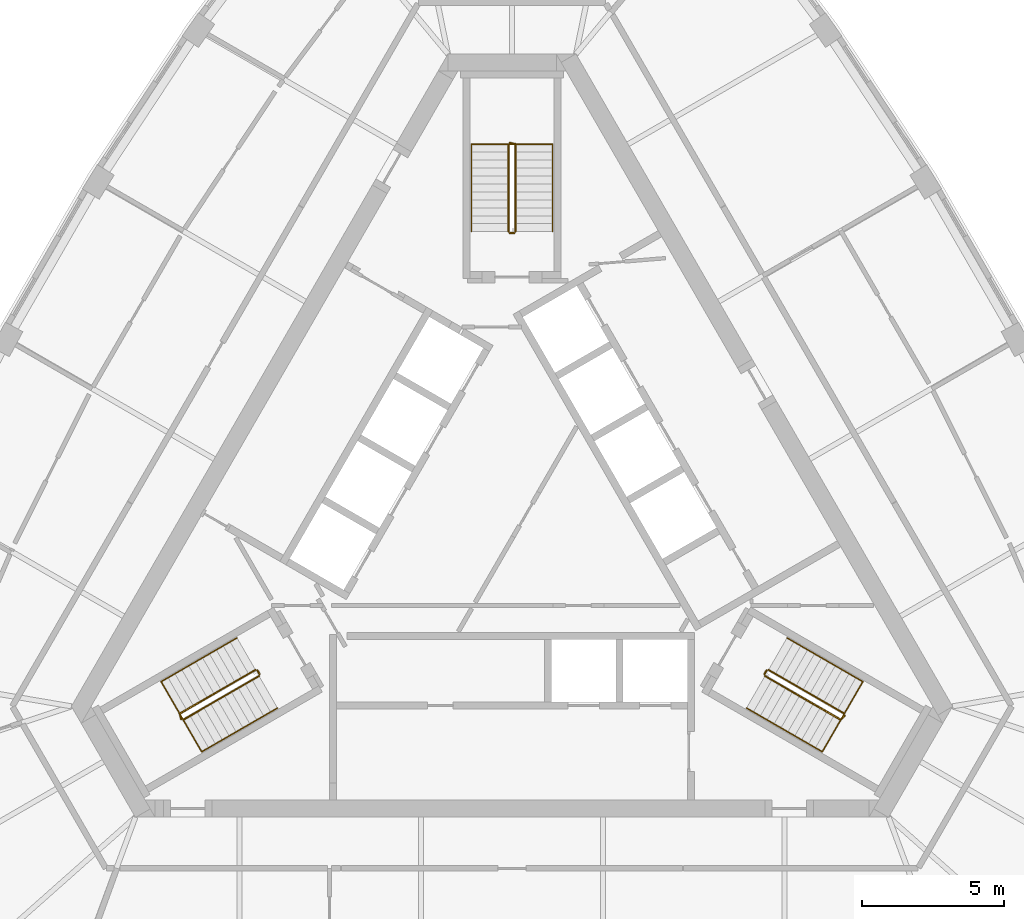
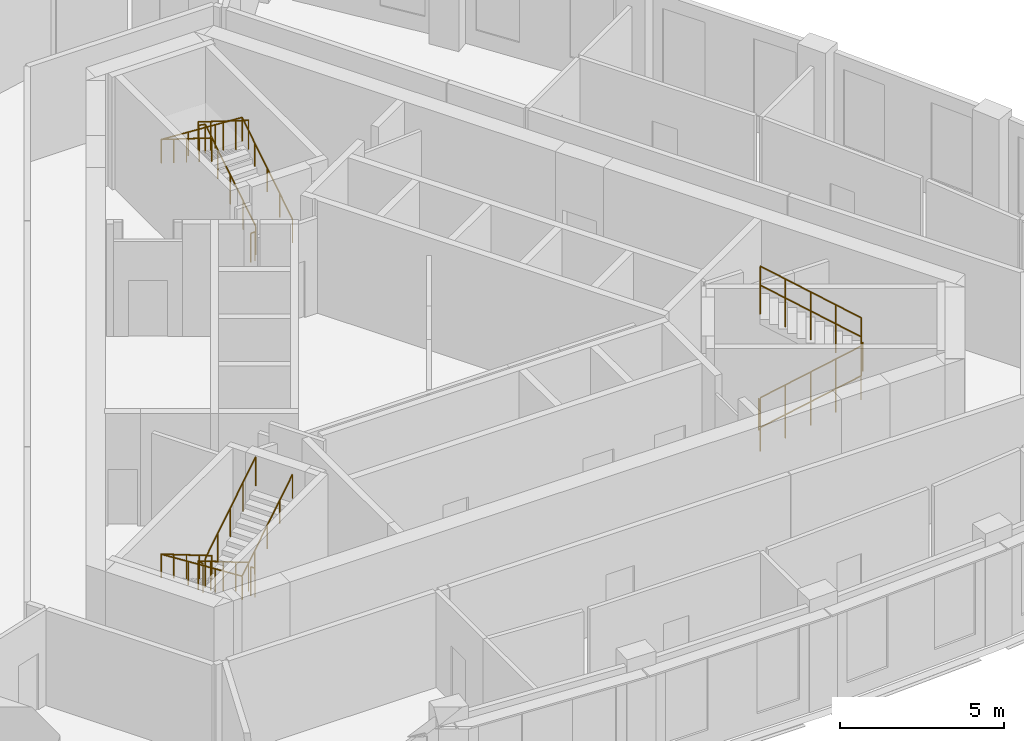
# One storey, part 10 of 10: 12 railings.
"""IFC4 building model written with IfcOpenShell, lengths in metres."""

import ifcopenshell
import ifcopenshell.guid

model = None  # the IFC model being written
_history = None  # IfcOwnerHistory: only IFC2X3 demands one
_inside = {}  # id of a spatial element -> (the spatial element, [elements in it])
_under = {}  # id of a project, library or spatial element -> (it, [spatial elements below it])
_declared = {}  # id of a project -> (the project, [libraries it declares])
_typed = {}  # id of a type object -> (the type object, [elements of that type])
_made_of = {}  # id of a material, layer set ... -> (it, [elements and type objects made of it])


def new_model(schema):
    """Start an empty IFC model of exactly this schema.

    Asked for "IFC4X3", IfcOpenShell would pick the latest addendum, in which some entities
    have other attributes; the version numbers below select the first issue.
    IFC2X3 requires an IfcOwnerHistory on every rooted entity: one is made here for all.
    """
    global model, _history
    if schema == "IFC4X3":
        model = ifcopenshell.file(schema_version=(4, 3, 0, 0))
    else:
        model = ifcopenshell.file(schema=schema)
    _inside.clear()
    _under.clear()
    _declared.clear()
    _typed.clear()
    _made_of.clear()
    _history = None
    if model.schema == "IFC2X3":
        org = make("IfcOrganization", Name="unknown")
        user = make(
            "IfcPersonAndOrganization",
            ThePerson=make("IfcPerson", FamilyName="unknown"),
            TheOrganization=org,
        )
        app = make(
            "IfcApplication",
            ApplicationDeveloper=org,
            Version="unknown",
            ApplicationFullName="unknown",
            ApplicationIdentifier="unknown",
        )
        _history = make(
            "IfcOwnerHistory",
            OwningUser=user,
            OwningApplication=app,
            ChangeAction="ADDED",
            CreationDate=0,
        )
    return model


def make(cls, **values):
    """One entity of the class cls with the attributes given. An attribute that is None is left unset."""
    return model.create_entity(
        cls, **{name: value for name, value in values.items() if value is not None}
    )


def rooted(cls, **values):
    """An entity with a GlobalId (a new one), such as an element, a storey or a relation."""
    return make(cls, GlobalId=ifcopenshell.guid.new(), OwnerHistory=_history, **values)


def si_unit(unit_type, name, prefix=None):
    """IfcSIUnit, for example si_unit("LENGTHUNIT", "METRE", prefix="MILLI")."""
    return make("IfcSIUnit", UnitType=unit_type, Prefix=prefix, Name=name)


def assignment(units):
    """IfcUnitAssignment: the units of a project."""
    return None if units is None else make("IfcUnitAssignment", Units=units)


def point(xyz):
    """IfcCartesianPoint."""
    return None if xyz is None else make("IfcCartesianPoint", Coordinates=xyz)


def direction(xyz):
    """IfcDirection."""
    return None if xyz is None else make("IfcDirection", DirectionRatios=xyz)


def frame(location, z_axis=None, x_axis=None):
    """IfcAxis2Placement3D, a coordinate frame: its origin and axes. An axis left out is left unset."""
    return make(
        "IfcAxis2Placement3D",
        Location=point(location),
        Axis=direction(z_axis),
        RefDirection=direction(x_axis),
    )


def frame_2d(location, x_axis=None):
    """IfcAxis2Placement2D, a coordinate frame in the plane: its origin and x axis."""
    return make(
        "IfcAxis2Placement2D", Location=point(location), RefDirection=direction(x_axis)
    )


def origin():
    """The frame at (0, 0, 0) with its axes left unset."""
    return frame((0.0, 0.0, 0.0))


def origin_2d():
    """The frame at (0, 0) in the plane with its x axis left unset."""
    return frame_2d((0.0, 0.0))


def place(relative_to, where):
    """IfcLocalPlacement: puts the frame where relative to a parent placement (None: the world)."""
    return make(
        "IfcLocalPlacement", PlacementRelTo=relative_to, RelativePlacement=where
    )


def context(
    kind, dimensions, precision=None, world=None, true_north=None, identifier=None
):
    """IfcGeometricRepresentationContext, for example the 3D "Model" context."""
    return make(
        "IfcGeometricRepresentationContext",
        ContextIdentifier=identifier,
        ContextType=kind,
        CoordinateSpaceDimension=dimensions,
        Precision=precision,
        WorldCoordinateSystem=world,
        TrueNorth=true_north,
    )


def subcontext(parent, identifier, kind, view, scale=None):
    """IfcGeometricRepresentationSubContext, for example "Body" below "Model"."""
    return make(
        "IfcGeometricRepresentationSubContext",
        ContextIdentifier=identifier,
        ContextType=kind,
        ParentContext=parent,
        TargetScale=scale,
        TargetView=view,
    )


def project(units=None, contexts=None):
    """IfcProject with its units and contexts."""
    return rooted(
        "IfcProject",
        Name="project",
        RepresentationContexts=contexts,
        UnitsInContext=assignment(units),
    )


def spatial(cls, under=None, at=None, **own):
    """A site, building, storey or space (cls), placed at a placement, below another one or the project."""
    s = rooted(cls, ObjectPlacement=at, **own)
    if under is not None:
        _under.setdefault(under.id(), (under, []))[1].append(s)
    return s


def profile(cls, at=None, kind="AREA", **sizes):
    """A parametric profile (cls). Its sizes go by their IFC names, for example OverallWidth=200.0."""
    return make(cls, ProfileType=kind, Position=at, **sizes)


def circle(**sizes):
    """IfcCircleProfileDef."""
    return profile("IfcCircleProfileDef", **sizes)


def extrude(swept, where, along, depth):
    """IfcExtrudedAreaSolid: the profile swept, set in the frame where, extruded along a direction by depth."""
    return make(
        "IfcExtrudedAreaSolid",
        SweptArea=swept,
        Position=where,
        ExtrudedDirection=direction(along),
        Depth=depth,
    )


def shape(context_of_items, identifier, shape_type, items):
    """IfcShapeRepresentation: the items that make up one representation, for example the "Body"."""
    return make(
        "IfcShapeRepresentation",
        ContextOfItems=context_of_items,
        RepresentationIdentifier=identifier,
        RepresentationType=shape_type,
        Items=items,
    )


def material(Name=None, Category=None):
    """IfcMaterial."""
    return make("IfcMaterial", Name=Name, Category=Category)


def made_of(thing, what):
    """Note that an element or type object is made of a material, layer set ...; save() writes the relation."""
    if what is not None:
        _made_of.setdefault(what.id(), (what, []))[1].append(thing)
    return thing


def type_object(cls, material=None, **own):
    """A type object (cls), such as IfcWallType, which elements share."""
    return made_of(rooted(cls, **own), material)


def element(
    cls,
    number,
    at=None,
    inside=None,
    cuts=None,
    type_object=None,
    material=None,
    context=None,
    identifier="Body",
    shape_type=None,
    held_by="IfcProductDefinitionShape",
    body=None,
    shapes=None,
    **own,
):
    """One element of the class cls, such as IfcWall. Its Tag is "e" and its number.

    at: its placement. inside: the storey or other place that contains it. cuts: it is an
    opening in that element (IfcRelVoidsElement). A single representation is given by context,
    identifier, shape_type and body (its items); several are given by shapes. held_by: the class
    of the entity that holds the representations. save() writes the other relations.
    """
    e = rooted(cls, Tag="e%d" % number, ObjectPlacement=at, **own)
    if body is not None:
        shapes = [shape(context, identifier, shape_type, body)]
    if shapes is not None:
        e.Representation = make(held_by, Representations=shapes)
    if inside is not None:
        _inside.setdefault(inside.id(), (inside, []))[1].append(e)
    if cuts is not None:
        rooted(
            "IfcRelVoidsElement", RelatingBuildingElement=cuts, RelatedOpeningElement=e
        )
    if type_object is not None:
        _typed.setdefault(type_object.id(), (type_object, []))[1].append(e)
    return made_of(e, material)


def aggregate(whole, parts):
    """IfcRelAggregates: a whole, such as a stair, and the parts it consists of."""
    return rooted("IfcRelAggregates", RelatingObject=whole, RelatedObjects=parts)


def save(model, path):
    """Write the relations noted so far, then the file.

    IfcRelAggregates (storeys below a building ...), IfcRelContainedInSpatialStructure (elements
    in a storey), IfcRelDefinesByType, IfcRelAssociatesMaterial and IfcRelDeclares: one each for
    every whole, place, type object, material and project.
    """
    for whole, parts in _under.values():
        aggregate(whole, parts)
    for where, things in _inside.values():
        rooted(
            "IfcRelContainedInSpatialStructure",
            RelatedElements=things,
            RelatingStructure=where,
        )
    for kind, things in _typed.values():
        rooted("IfcRelDefinesByType", RelatedObjects=things, RelatingType=kind)
    for what, things in _made_of.values():
        rooted("IfcRelAssociatesMaterial", RelatedObjects=things, RelatingMaterial=what)
    for by, libraries in _declared.values():
        rooted("IfcRelDeclares", RelatingContext=by, RelatedDefinitions=libraries)
    model.write(path)


model = new_model("IFC4")

# Units and contexts
model_context = context("Model", 3, precision=1e-05, world=origin(), true_north=direction((0.0, 1.0)))
body_context = subcontext(model_context, "Body", "Model", "MODEL_VIEW")
ifc_project = project(units=[si_unit("LENGTHUNIT", "METRE"), si_unit("AREAUNIT", "SQUARE_METRE"), si_unit("VOLUMEUNIT", "CUBIC_METRE"), si_unit("PLANEANGLEUNIT", "RADIAN"), si_unit("MASSUNIT", "GRAM", prefix="KILO")], contexts=[model_context])

# Site, building, storey
site_placement = place(None, origin())
site = spatial("IfcSite", under=ifc_project, at=site_placement, CompositionType="ELEMENT")
building_placement = place(site_placement, origin())
building = spatial("IfcBuilding", under=site, at=building_placement, Name="Mestral Congress Tower", CompositionType="ELEMENT")
storey_placement = place(building_placement, frame((0.0, 0.0, 283.800048828125)))
storey = spatial("IfcBuildingStorey", under=building, at=storey_placement, Name="L66", CompositionType="ELEMENT", Elevation=283.800048828125)

# Railings
ifc_material_1 = material(Name="Steel balustrade", Category="steel")
railing_type_1 = type_object("IfcRailingType", Name="Stair guard 1100", PredefinedType="GUARDRAIL", material=ifc_material_1)
railing_1_placement = place(storey_placement, frame((8.90087890625, -5.283203125, 0.175048828125)))
element("IfcRailing", 1, at=railing_1_placement, inside=storey, type_object=railing_type_1, Name="L66 ST1 stair guard 1", PredefinedType="GUARDRAIL", context=body_context, shape_type="SweptSolid", body=[
    extrude(circle(Radius=0.02392578125, at=origin_2d()), frame((0.0, 0.0, 1.076171875), z_axis=(0.734390191396, -0.42403051051, 0.529970917068), x_axis=(0.500026652407, 0.866010015463, 0.0)), (0.0, 0.0, 1.0), 3.6318359375),
    extrude(circle(Radius=0.02392578125, at=origin_2d()), frame((2.667236328125, -1.5400390625, 3.0009765625), z_axis=(0.695164929852, 0.718850276695, 0.0), x_axis=(-0.718850276695, 0.695164929852, 0.0)), (0.0, 0.0, 1.0), 0.2060546875),
    extrude(circle(Radius=0.02099609375, at=origin_2d()), origin(), (0.0, 0.0, 1.0), 1.052001953125),
    extrude(circle(Radius=0.02099609375, at=origin_2d()), frame((0.666748046875, -0.385009765625, 0.481201171875)), (0.0, 0.0, 1.0), 1.052001953125),
    extrude(circle(Radius=0.02099609375, at=origin_2d()), frame((1.33349609375, -0.77001953125, 0.96240234375)), (0.0, 0.0, 1.0), 1.052001953125),
    extrude(circle(Radius=0.02099609375, at=origin_2d()), frame((2.00048828125, -1.155029296875, 1.443603515625)), (0.0, 0.0, 1.0), 1.052001953125),
    extrude(circle(Radius=0.02099609375, at=origin_2d()), frame((2.667236328125, -1.5400390625, 1.9248046875)), (0.0, 0.0, 1.0), 1.052001953125),
    extrude(circle(Radius=0.02099609375, at=origin_2d()), frame((2.810546875, -1.391845703125, 1.9248046875)), (0.0, 0.0, 1.0), 1.052001953125),
])
railing_2_placement = place(storey_placement, frame((11.693115234375, -6.606689453125, 2.27490234375)))
element("IfcRailing", 2, at=railing_2_placement, inside=storey, type_object=railing_type_1, Name="L66 ST1 stair guard 2", PredefinedType="GUARDRAIL", context=body_context, shape_type="SweptSolid", body=[
    extrude(circle(Radius=0.02392578125, at=origin_2d()), frame((0.0, 0.0, 1.076171875), z_axis=(-0.734364028329, 0.424015404183, 0.530019255228), x_axis=(-0.500026652407, -0.866010015463, 0.0)), (0.0, 0.0, 1.0), 3.632080078125),
    extrude(circle(Radius=0.02099609375, at=origin_2d()), origin(), (0.0, 0.0, 1.0), 1.052001953125),
    extrude(circle(Radius=0.02099609375, at=origin_2d()), frame((-0.666748046875, 0.385009765625, 0.481201171875)), (0.0, 0.0, 1.0), 1.052001953125),
    extrude(circle(Radius=0.02099609375, at=origin_2d()), frame((-1.33349609375, 0.77001953125, 0.96240234375)), (0.0, 0.0, 1.0), 1.052001953125),
    extrude(circle(Radius=0.02099609375, at=origin_2d()), frame((-2.00048828125, 1.155029296875, 1.44384765625)), (0.0, 0.0, 1.0), 1.052001953125),
    extrude(circle(Radius=0.02099609375, at=origin_2d()), frame((-2.667236328125, 1.5400390625, 1.925048828125)), (0.0, 0.0, 1.0), 1.052001953125),
])
railing_3_placement = place(storey_placement, frame((8.882568359375, -5.21484375, 0.0)))
element("IfcRailing", 3, at=railing_3_placement, inside=storey, type_object=railing_type_1, Name="L66 ST1 stair guard 3", PredefinedType="GUARDRAIL", context=body_context, shape_type="SweptSolid", body=[
    extrude(circle(Radius=0.02392578125, at=origin_2d()), frame((0.0, 0.0, 1.076171875), z_axis=(0.499816412211, 0.866131372301, 0.0), x_axis=(-0.866131372301, 0.499816412211, 0.0)), (0.0, 0.0, 1.0), 0.14990234375),
    extrude(circle(Radius=0.02099609375, at=origin_2d()), origin(), (0.0, 0.0, 1.0), 1.052001953125),
    extrude(circle(Radius=0.02099609375, at=origin_2d()), frame((0.074951171875, 0.1298828125, 0.0)), (0.0, 0.0, 1.0), 1.052001953125),
])
railing_4_placement = place(storey_placement, frame((0.125, 10.35009765625, 0.175048828125)))
element("IfcRailing", 4, at=railing_4_placement, inside=storey, type_object=railing_type_1, Name="L66 ST2 stair guard 1", PredefinedType="GUARDRAIL", context=body_context, shape_type="SweptSolid", body=[
    extrude(circle(Radius=0.02392578125, at=origin_2d()), frame((0.0, 0.0, 1.076171875), z_axis=(0.0, 0.848009633417, 0.529980812513), x_axis=(-1.0, 0.0, 0.0)), (0.0, 0.0, 1.0), 3.6318359375),
    extrude(circle(Radius=0.02392578125, at=origin_2d()), frame((0.0, 3.079833984375, 3.0009765625), z_axis=(-0.970072785993, 0.242814311512, 0.0), x_axis=(-0.242814311512, -0.970072785993, 0.0)), (0.0, 0.0, 1.0), 0.2060546875),
    extrude(circle(Radius=0.02099609375, at=origin_2d()), origin(), (0.0, 0.0, 1.0), 1.052001953125),
    extrude(circle(Radius=0.02099609375, at=origin_2d()), frame((0.0, 0.77001953125, 0.481201171875)), (0.0, 0.0, 1.0), 1.052001953125),
    extrude(circle(Radius=0.02099609375, at=origin_2d()), frame((0.0, 1.5400390625, 0.96240234375)), (0.0, 0.0, 1.0), 1.052001953125),
    extrude(circle(Radius=0.02099609375, at=origin_2d()), frame((0.0, 2.309814453125, 1.443603515625)), (0.0, 0.0, 1.0), 1.052001953125),
    extrude(circle(Radius=0.02099609375, at=origin_2d()), frame((0.0, 3.079833984375, 1.9248046875)), (0.0, 0.0, 1.0), 1.052001953125),
    extrude(circle(Radius=0.02099609375, at=origin_2d()), frame((-0.199951171875, 3.1298828125, 1.9248046875)), (0.0, 0.0, 1.0), 1.052001953125),
])
railing_5_placement = place(storey_placement, frame((-0.125, 13.429931640625, 2.27490234375)))
element("IfcRailing", 5, at=railing_5_placement, inside=storey, type_object=railing_type_1, Name="L66 ST2 stair guard 2", PredefinedType="GUARDRAIL", context=body_context, shape_type="SweptSolid", body=[
    extrude(circle(Radius=0.02392578125, at=origin_2d()), frame((0.0, 0.0, 1.076171875), z_axis=(0.0, -0.847979421464, 0.530029150871), x_axis=(1.0, 0.0, 0.0)), (0.0, 0.0, 1.0), 3.632080078125),
    extrude(circle(Radius=0.02099609375, at=origin_2d()), origin(), (0.0, 0.0, 1.0), 1.052001953125),
    extrude(circle(Radius=0.02099609375, at=origin_2d()), frame((0.0, -0.77001953125, 0.481201171875)), (0.0, 0.0, 1.0), 1.052001953125),
    extrude(circle(Radius=0.02099609375, at=origin_2d()), frame((0.0, -1.5400390625, 0.96240234375)), (0.0, 0.0, 1.0), 1.052001953125),
    extrude(circle(Radius=0.02099609375, at=origin_2d()), frame((0.0, -2.309814453125, 1.44384765625)), (0.0, 0.0, 1.0), 1.052001953125),
    extrude(circle(Radius=0.02099609375, at=origin_2d()), frame((0.0, -3.079833984375, 1.925048828125)), (0.0, 0.0, 1.0), 1.052001953125),
])
railing_6_placement = place(storey_placement, frame((0.074951171875, 10.300048828125, 0.0)))
element("IfcRailing", 6, at=railing_6_placement, inside=storey, type_object=railing_type_1, Name="L66 ST2 stair guard 3", PredefinedType="GUARDRAIL", context=body_context, shape_type="SweptSolid", body=[
    extrude(circle(Radius=0.02392578125, at=origin_2d()), frame((0.0, 0.0, 1.076171875), z_axis=(-1.0, 0.0, 0.0), x_axis=(0.0, -1.0, 0.0)), (0.0, 0.0, 1.0), 0.14990234375),
    extrude(circle(Radius=0.02099609375, at=origin_2d()), origin(), (0.0, 0.0, 1.0), 1.052001953125),
    extrude(circle(Radius=0.02099609375, at=origin_2d()), frame((-0.14990234375, 0.0, 0.0)), (0.0, 0.0, 1.0), 1.052001953125),
])
railing_7_placement = place(storey_placement, frame((-9.02587890625, -5.066650390625, 0.175048828125)))
element("IfcRailing", 7, at=railing_7_placement, inside=storey, type_object=railing_type_1, Name="L66 ST3 stair guard 1", PredefinedType="GUARDRAIL", context=body_context, shape_type="SweptSolid", body=[
    extrude(circle(Radius=0.02392578125, at=origin_2d()), frame((0.0, 0.0, 1.076171875), z_axis=(-0.734390191396, -0.42403051051, 0.529970917068), x_axis=(0.500026652407, -0.866010015463, 0.0)), (0.0, 0.0, 1.0), 3.6318359375),
    extrude(circle(Radius=0.02392578125, at=origin_2d()), frame((-2.667236328125, -1.5400390625, 3.0009765625), z_axis=(0.274721127897, -0.961523947641, 0.0), x_axis=(0.961523947641, 0.274721127897, 0.0)), (0.0, 0.0, 1.0), 0.2060546875),
    extrude(circle(Radius=0.02099609375, at=origin_2d()), origin(), (0.0, 0.0, 1.0), 1.052001953125),
    extrude(circle(Radius=0.02099609375, at=origin_2d()), frame((-0.666748046875, -0.385009765625, 0.481201171875)), (0.0, 0.0, 1.0), 1.052001953125),
    extrude(circle(Radius=0.02099609375, at=origin_2d()), frame((-1.33349609375, -0.77001953125, 0.96240234375)), (0.0, 0.0, 1.0), 1.052001953125),
    extrude(circle(Radius=0.02099609375, at=origin_2d()), frame((-2.00048828125, -1.155029296875, 1.443603515625)), (0.0, 0.0, 1.0), 1.052001953125),
    extrude(circle(Radius=0.02099609375, at=origin_2d()), frame((-2.667236328125, -1.5400390625, 1.9248046875)), (0.0, 0.0, 1.0), 1.052001953125),
    extrude(circle(Radius=0.02099609375, at=origin_2d()), frame((-2.610595703125, -1.73828125, 1.9248046875)), (0.0, 0.0, 1.0), 1.052001953125),
])
railing_8_placement = place(storey_placement, frame((-11.568115234375, -6.8232421875, 2.27490234375)))
element("IfcRailing", 8, at=railing_8_placement, inside=storey, type_object=railing_type_1, Name="L66 ST3 stair guard 2", PredefinedType="GUARDRAIL", context=body_context, shape_type="SweptSolid", body=[
    extrude(circle(Radius=0.02392578125, at=origin_2d()), frame((0.0, 0.0, 1.076171875), z_axis=(0.734364028329, 0.424015404183, 0.530019255228), x_axis=(-0.500026652407, 0.866010015463, 0.0)), (0.0, 0.0, 1.0), 3.632080078125),
    extrude(circle(Radius=0.02099609375, at=origin_2d()), origin(), (0.0, 0.0, 1.0), 1.052001953125),
    extrude(circle(Radius=0.02099609375, at=origin_2d()), frame((0.666748046875, 0.385009765625, 0.481201171875)), (0.0, 0.0, 1.0), 1.052001953125),
    extrude(circle(Radius=0.02099609375, at=origin_2d()), frame((1.33349609375, 0.77001953125, 0.96240234375)), (0.0, 0.0, 1.0), 1.052001953125),
    extrude(circle(Radius=0.02099609375, at=origin_2d()), frame((2.00048828125, 1.155029296875, 1.44384765625)), (0.0, 0.0, 1.0), 1.052001953125),
    extrude(circle(Radius=0.02099609375, at=origin_2d()), frame((2.667236328125, 1.5400390625, 1.925048828125)), (0.0, 0.0, 1.0), 1.052001953125),
])
railing_9_placement = place(storey_placement, frame((-8.95751953125, -5.0849609375, 0.0)))
element("IfcRailing", 9, at=railing_9_placement, inside=storey, type_object=railing_type_1, Name="L66 ST3 stair guard 3", PredefinedType="GUARDRAIL", context=body_context, shape_type="SweptSolid", body=[
    extrude(circle(Radius=0.02392578125, at=origin_2d()), frame((0.0, 0.0, 1.076171875), z_axis=(0.499816412211, -0.866131372301, 0.0), x_axis=(0.866131372301, 0.499816412211, 0.0)), (0.0, 0.0, 1.0), 0.14990234375),
    extrude(circle(Radius=0.02099609375, at=origin_2d()), origin(), (0.0, 0.0, 1.0), 1.052001953125),
    extrude(circle(Radius=0.02099609375, at=origin_2d()), frame((0.074951171875, -0.1298828125, 0.0)), (0.0, 0.0, 1.0), 1.052001953125),
])
ifc_material_2 = material(Name="Steel handrail", Category="steel")
railing_type_2 = type_object("IfcRailingType", Name="Stair handrail 900", PredefinedType="HANDRAIL", material=ifc_material_2)
railing_10_placement = place(storey_placement, frame((8.2509765625, -6.4091796875, 0.175048828125)))
element("IfcRailing", 10, at=railing_10_placement, inside=storey, type_object=railing_type_2, Name="L66 ST1 stair handrail 1", PredefinedType="HANDRAIL", context=body_context, shape_type="SweptSolid", body=[
    extrude(circle(Radius=0.02392578125, at=origin_2d()), frame((0.0, 0.0, 0.8759765625), z_axis=(0.734411123532, -0.423975373557, 0.529986022693), x_axis=(0.499967199496, 0.866044340336, 0.0)), (0.0, 0.0, 1.0), 3.6318359375),
    extrude(circle(Radius=0.02392578125, at=origin_2d()), frame((2.667236328125, -1.539794921875, 2.80078125), z_axis=(0.499095769026, 0.864375386171, 0.061307463833), x_axis=(-0.866004402611, 0.500036373335, 0.0)), (0.0, 0.0, 1.0), 2.855224609375),
    extrude(circle(Radius=0.02392578125, at=origin_2d()), frame((4.09228515625, 0.92822265625, 2.9755859375), z_axis=(-0.734394994316, 0.423994474112, 0.52999309264), x_axis=(-0.499992328818, -0.866029832698, 0.0)), (0.0, 0.0, 1.0), 3.63232421875),
    extrude(circle(Radius=0.02099609375, at=origin_2d()), origin(), (0.0, 0.0, 1.0), 0.851806640625),
    extrude(circle(Radius=0.02099609375, at=origin_2d()), frame((0.666748046875, -0.385009765625, 0.481201171875)), (0.0, 0.0, 1.0), 0.851806640625),
    extrude(circle(Radius=0.02099609375, at=origin_2d()), frame((1.33349609375, -0.77001953125, 0.96240234375)), (0.0, 0.0, 1.0), 0.851806640625),
    extrude(circle(Radius=0.02099609375, at=origin_2d()), frame((2.00048828125, -1.15478515625, 1.443603515625)), (0.0, 0.0, 1.0), 0.851806640625),
    extrude(circle(Radius=0.02099609375, at=origin_2d()), frame((2.667236328125, -1.539794921875, 1.9248046875)), (0.0, 0.0, 1.0), 0.851806640625),
    extrude(circle(Radius=0.02099609375, at=origin_2d()), frame((3.142333984375, -0.717041015625, 1.983154296875)), (0.0, 0.0, 1.0), 0.851806640625),
    extrude(circle(Radius=0.02099609375, at=origin_2d()), frame((3.6171875, 0.10546875, 2.04150390625)), (0.0, 0.0, 1.0), 0.851806640625),
    extrude(circle(Radius=0.02099609375, at=origin_2d()), frame((4.09228515625, 0.92822265625, 2.099853515625)), (0.0, 0.0, 1.0), 0.851806640625),
    extrude(circle(Radius=0.02099609375, at=origin_2d()), frame((3.42529296875, 1.313232421875, 2.5810546875)), (0.0, 0.0, 1.0), 0.851806640625),
    extrude(circle(Radius=0.02099609375, at=origin_2d()), frame((2.758544921875, 1.6982421875, 3.0625)), (0.0, 0.0, 1.0), 0.851806640625),
    extrude(circle(Radius=0.02099609375, at=origin_2d()), frame((2.091796875, 2.083251953125, 3.543701171875)), (0.0, 0.0, 1.0), 0.851806640625),
    extrude(circle(Radius=0.02099609375, at=origin_2d()), frame((1.4248046875, 2.46826171875, 4.02490234375)), (0.0, 0.0, 1.0), 0.851806640625),
])
railing_11_placement = place(storey_placement, frame((1.425048828125, 10.35009765625, 0.175048828125)))
element("IfcRailing", 11, at=railing_11_placement, inside=storey, type_object=railing_type_2, Name="L66 ST2 stair handrail 1", PredefinedType="HANDRAIL", context=body_context, shape_type="SweptSolid", body=[
    extrude(circle(Radius=0.02392578125, at=origin_2d()), frame((0.0, 0.0, 0.8759765625), z_axis=(0.0, 0.848009633417, 0.529980812513), x_axis=(-1.0, 0.0, 0.0)), (0.0, 0.0, 1.0), 3.6318359375),
    extrude(circle(Radius=0.02392578125, at=origin_2d()), frame((0.0, 3.079833984375, 2.80078125), z_axis=(-0.998119201106, 0.0, 0.061303021003), x_axis=(0.0, -1.0, 0.0)), (0.0, 0.0, 1.0), 2.85546875),
    extrude(circle(Radius=0.02392578125, at=origin_2d()), frame((-2.85009765625, 3.079833984375, 2.9755859375), z_axis=(0.0, -0.847979421464, 0.530029150871), x_axis=(1.0, 0.0, 0.0)), (0.0, 0.0, 1.0), 3.632080078125),
    extrude(circle(Radius=0.02099609375, at=origin_2d()), origin(), (0.0, 0.0, 1.0), 0.851806640625),
    extrude(circle(Radius=0.02099609375, at=origin_2d()), frame((0.0, 0.77001953125, 0.481201171875)), (0.0, 0.0, 1.0), 0.851806640625),
    extrude(circle(Radius=0.02099609375, at=origin_2d()), frame((0.0, 1.5400390625, 0.96240234375)), (0.0, 0.0, 1.0), 0.851806640625),
    extrude(circle(Radius=0.02099609375, at=origin_2d()), frame((0.0, 2.309814453125, 1.443603515625)), (0.0, 0.0, 1.0), 0.851806640625),
    extrude(circle(Radius=0.02099609375, at=origin_2d()), frame((0.0, 3.079833984375, 1.9248046875)), (0.0, 0.0, 1.0), 0.851806640625),
    extrude(circle(Radius=0.02099609375, at=origin_2d()), frame((-0.949951171875, 3.079833984375, 1.983154296875)), (0.0, 0.0, 1.0), 0.851806640625),
    extrude(circle(Radius=0.02099609375, at=origin_2d()), frame((-1.900146484375, 3.079833984375, 2.04150390625)), (0.0, 0.0, 1.0), 0.851806640625),
    extrude(circle(Radius=0.02099609375, at=origin_2d()), frame((-2.85009765625, 3.079833984375, 2.099853515625)), (0.0, 0.0, 1.0), 0.851806640625),
    extrude(circle(Radius=0.02099609375, at=origin_2d()), frame((-2.85009765625, 2.309814453125, 2.5810546875)), (0.0, 0.0, 1.0), 0.851806640625),
    extrude(circle(Radius=0.02099609375, at=origin_2d()), frame((-2.85009765625, 1.5400390625, 3.0625)), (0.0, 0.0, 1.0), 0.851806640625),
    extrude(circle(Radius=0.02099609375, at=origin_2d()), frame((-2.85009765625, 0.77001953125, 3.543701171875)), (0.0, 0.0, 1.0), 0.851806640625),
    extrude(circle(Radius=0.02099609375, at=origin_2d()), frame((-2.85009765625, 0.0, 4.02490234375)), (0.0, 0.0, 1.0), 0.851806640625),
])
railing_12_placement = place(storey_placement, frame((-9.67578125, -3.94091796875, 0.175048828125)))
element("IfcRailing", 12, at=railing_12_placement, inside=storey, type_object=railing_type_2, Name="L66 ST3 stair handrail 1", PredefinedType="HANDRAIL", context=body_context, shape_type="SweptSolid", body=[
    extrude(circle(Radius=0.02392578125, at=origin_2d()), frame((0.0, 0.0, 0.8759765625), z_axis=(-0.734421155904, -0.424009578203, 0.529944755001), x_axis=(0.499992328818, -0.866029832698, 0.0)), (0.0, 0.0, 1.0), 3.632080078125),
    extrude(circle(Radius=0.02392578125, at=origin_2d()), frame((-2.66748046875, -1.5400390625, 2.80078125), z_axis=(0.499095769026, -0.864375386171, 0.061307463833), x_axis=(0.866004402611, 0.500036373335, 0.0)), (0.0, 0.0, 1.0), 2.855224609375),
    extrude(circle(Radius=0.02392578125, at=origin_2d()), frame((-1.242431640625, -4.008056640625, 2.9755859375), z_axis=(0.734384958227, 0.423960268333, 0.530034361155), x_axis=(-0.499967199496, 0.866044340336, 0.0)), (0.0, 0.0, 1.0), 3.6318359375),
    extrude(circle(Radius=0.02099609375, at=origin_2d()), origin(), (0.0, 0.0, 1.0), 0.851806640625),
    extrude(circle(Radius=0.02099609375, at=origin_2d()), frame((-0.6669921875, -0.385009765625, 0.481201171875)), (0.0, 0.0, 1.0), 0.851806640625),
    extrude(circle(Radius=0.02099609375, at=origin_2d()), frame((-1.333740234375, -0.77001953125, 0.96240234375)), (0.0, 0.0, 1.0), 0.851806640625),
    extrude(circle(Radius=0.02099609375, at=origin_2d()), frame((-2.00048828125, -1.155029296875, 1.443603515625)), (0.0, 0.0, 1.0), 0.851806640625),
    extrude(circle(Radius=0.02099609375, at=origin_2d()), frame((-2.66748046875, -1.5400390625, 1.9248046875)), (0.0, 0.0, 1.0), 0.851806640625),
    extrude(circle(Radius=0.02099609375, at=origin_2d()), frame((-2.1923828125, -2.36279296875, 1.983154296875)), (0.0, 0.0, 1.0), 0.851806640625),
    extrude(circle(Radius=0.02099609375, at=origin_2d()), frame((-1.717529296875, -3.185302734375, 2.04150390625)), (0.0, 0.0, 1.0), 0.851806640625),
    extrude(circle(Radius=0.02099609375, at=origin_2d()), frame((-1.242431640625, -4.008056640625, 2.099853515625)), (0.0, 0.0, 1.0), 0.851806640625),
    extrude(circle(Radius=0.02099609375, at=origin_2d()), frame((-0.57568359375, -3.623046875, 2.5810546875)), (0.0, 0.0, 1.0), 0.851806640625),
    extrude(circle(Radius=0.02099609375, at=origin_2d()), frame((0.09130859375, -3.23828125, 3.0625)), (0.0, 0.0, 1.0), 0.851806640625),
    extrude(circle(Radius=0.02099609375, at=origin_2d()), frame((0.758056640625, -2.853271484375, 3.543701171875)), (0.0, 0.0, 1.0), 0.851806640625),
    extrude(circle(Radius=0.02099609375, at=origin_2d()), frame((1.4248046875, -2.46826171875, 4.02490234375)), (0.0, 0.0, 1.0), 0.851806640625),
])

save(model, "model.ifc")
